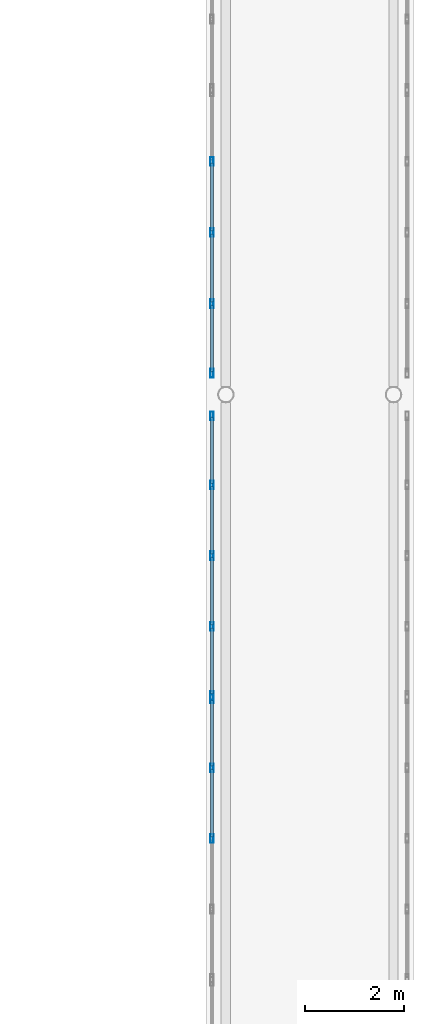
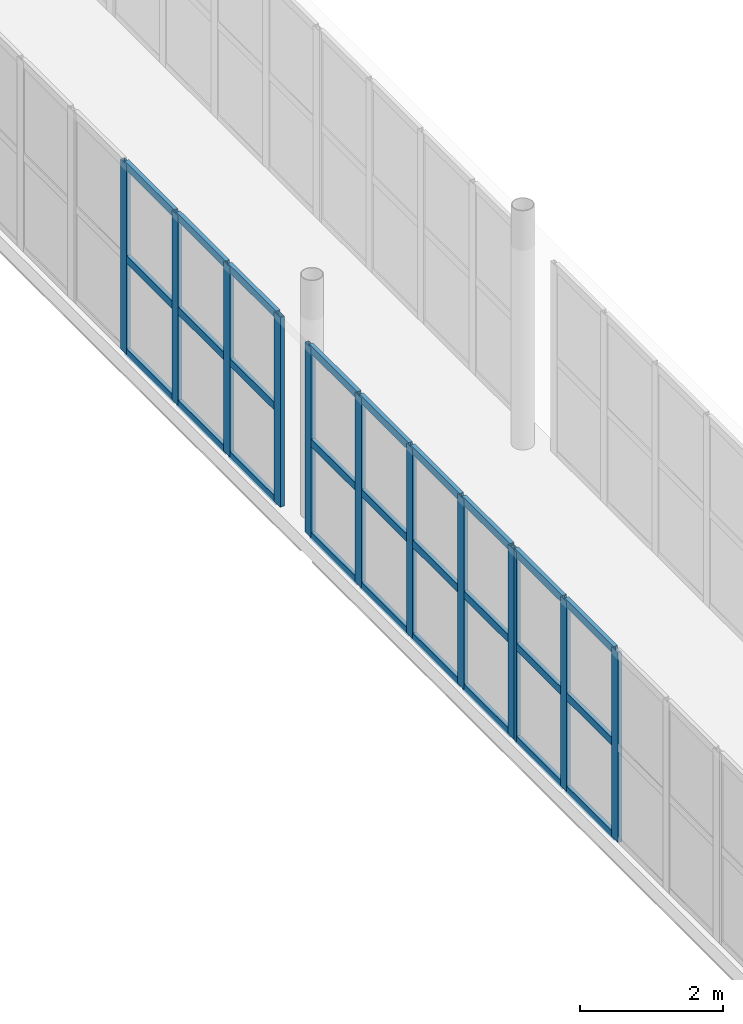
# One storey, part 46 of 146: 39 members, 3 elements without a shape of their own.
"""IFC4 building model written with IfcOpenShell, lengths in metres."""

from ifc_helpers import new_model, si_unit, direction, frame, origin, origin_2d, place, context, subcontext, project, spatial, hollow_rectangle, extrude, material, layer, layer_set, material_profile, profile_set, type_object, element, aggregate, save


model = new_model("IFC4")

# Units and contexts
model_context = context("Model", 3, precision=1e-05, world=origin(), true_north=direction((0.0, 1.0)))
body_context = subcontext(model_context, "Body", "Model", "MODEL_VIEW")
ifc_project = project(units=[si_unit("LENGTHUNIT", "METRE"), si_unit("AREAUNIT", "SQUARE_METRE"), si_unit("VOLUMEUNIT", "CUBIC_METRE"), si_unit("PLANEANGLEUNIT", "RADIAN"), si_unit("MASSUNIT", "GRAM", prefix="KILO")], contexts=[model_context])

# Site, building, storey
site_placement = place(None, origin())
site = spatial("IfcSite", under=ifc_project, at=site_placement, CompositionType="ELEMENT")
building_placement = place(site_placement, origin())
building = spatial("IfcBuilding", under=site, at=building_placement, Name="Valcora Specialist Clinic", CompositionType="ELEMENT")
storey_placement = place(building_placement, frame((0.0, 0.0, 9.52001953125)))
storey = spatial("IfcBuildingStorey", under=building, at=storey_placement, Name="L02", CompositionType="ELEMENT", Elevation=9.52001953125)

# Curtain wall, members
ifc_material = material(Name="Anodized Bronze Aluminium 6063-T6", Category="aluminium")
ifc_layer = layer(ifc_material, 0.175048828125)
ifc_layer_set = layer_set([ifc_layer], Name="Anodized Bronze Aluminium 6063-T6")
curtain_wall_type = type_object("IfcCurtainWallType", Name="TY-CW-BRG14", PredefinedType="NOTDEFINED", material=ifc_layer_set)
curtain_wall_1_placement = place(storey_placement, origin())
curtain_wall_1 = element("IfcCurtainWall", 1, at=curtain_wall_1_placement, inside=storey, type_object=curtain_wall_type, Name="Curtain wall CW-L02-253", PredefinedType="NOTDEFINED")
ifc_material_profile_1 = material_profile(ifc_material, hollow_rectangle(XDim=0.06494140625, YDim=0.175048828125, WallThickness=0.00390625, at=origin_2d()), Name="AL-MUL-65X175")
ifc_profile_set_1 = profile_set([ifc_material_profile_1], Name="Anodized Bronze Aluminium 6063-T6")
member_type_1 = type_object("IfcMemberType", Name="TY-CWM-65X175", PredefinedType="MULLION", material=ifc_profile_set_1)
member_1_placement = place(storey_placement, frame((61.320068359375, 47.0, 0.0), z_axis=(0.0, 0.0, 1.0), x_axis=(-1.0, 0.0, 0.0)))
member_1 = element("IfcMember", 2, at=member_1_placement, type_object=member_type_1, Name="CW-BRG-14 mullion 3", PredefinedType="MULLION", context=body_context, shape_type="SweptSolid", body=[
    extrude(hollow_rectangle(XDim=0.06494140625, YDim=0.175048828125, WallThickness=0.00390625, at=origin_2d()), origin(), (0.0, 0.0, 1.0), 3.239990234375),
])
member_2_placement = place(storey_placement, frame((61.320068359375, 48.433349609375, 0.0), z_axis=(0.0, 0.0, 1.0), x_axis=(-1.0, 0.0, 0.0)))
member_2 = element("IfcMember", 3, at=member_2_placement, type_object=member_type_1, Name="CW-BRG-14 mullion 4", PredefinedType="MULLION", context=body_context, shape_type="SweptSolid", body=[
    extrude(hollow_rectangle(XDim=0.06494140625, YDim=0.175048828125, WallThickness=0.00390625, at=origin_2d()), origin(), (0.0, 0.0, 1.0), 3.239990234375),
])
member_3_placement = place(storey_placement, frame((61.320068359375, 49.834228515625, 0.0), z_axis=(0.0, 0.0, 1.0), x_axis=(-1.0, 0.0, 0.0)))
member_3 = element("IfcMember", 4, at=member_3_placement, type_object=member_type_1, Name="CW-BRG-14 mullion 5", PredefinedType="MULLION", context=body_context, shape_type="SweptSolid", body=[
    extrude(hollow_rectangle(XDim=0.06494140625, YDim=0.175048828125, WallThickness=0.00390625, at=origin_2d()), origin(), (0.0, 0.0, 1.0), 3.239990234375),
])

curtain_wall_2_placement = place(storey_placement, origin())
curtain_wall_2 = element("IfcCurtainWall", 5, at=curtain_wall_2_placement, inside=storey, type_object=curtain_wall_type, Name="Curtain wall CW-L02-254", PredefinedType="NOTDEFINED")
member_4_placement = place(storey_placement, frame((61.320068359375, 49.899169921875, 0.0), z_axis=(0.0, 0.0, 1.0), x_axis=(-1.0, 0.0, 0.0)))
member_4 = element("IfcMember", 6, at=member_4_placement, type_object=member_type_1, Name="CW-BRG-14 mullion 1", PredefinedType="MULLION", context=body_context, shape_type="SweptSolid", body=[
    extrude(hollow_rectangle(XDim=0.06494140625, YDim=0.175048828125, WallThickness=0.00390625, at=origin_2d()), origin(), (0.0, 0.0, 1.0), 3.239990234375),
])
member_5_placement = place(storey_placement, frame((61.320068359375, 51.300048828125, 0.0), z_axis=(0.0, 0.0, 1.0), x_axis=(-1.0, 0.0, 0.0)))
member_5 = element("IfcMember", 7, at=member_5_placement, type_object=member_type_1, Name="CW-BRG-14 mullion 2", PredefinedType="MULLION", context=body_context, shape_type="SweptSolid", body=[
    extrude(hollow_rectangle(XDim=0.06494140625, YDim=0.175048828125, WallThickness=0.00390625, at=origin_2d()), origin(), (0.0, 0.0, 1.0), 3.239990234375),
])
member_6_placement = place(storey_placement, frame((61.320068359375, 52.7333984375, 0.0), z_axis=(0.0, 0.0, 1.0), x_axis=(-1.0, 0.0, 0.0)))
member_6 = element("IfcMember", 8, at=member_6_placement, type_object=member_type_1, Name="CW-BRG-14 mullion 3", PredefinedType="MULLION", context=body_context, shape_type="SweptSolid", body=[
    extrude(hollow_rectangle(XDim=0.06494140625, YDim=0.175048828125, WallThickness=0.00390625, at=origin_2d()), origin(), (0.0, 0.0, 1.0), 3.239990234375),
])
member_7_placement = place(storey_placement, frame((61.320068359375, 54.166748046875, 0.0), z_axis=(0.0, 0.0, 1.0), x_axis=(-1.0, 0.0, 0.0)))
member_7 = element("IfcMember", 9, at=member_7_placement, type_object=member_type_1, Name="CW-BRG-14 mullion 4", PredefinedType="MULLION", context=body_context, shape_type="SweptSolid", body=[
    extrude(hollow_rectangle(XDim=0.06494140625, YDim=0.175048828125, WallThickness=0.00390625, at=origin_2d()), origin(), (0.0, 0.0, 1.0), 3.239990234375),
])
member_8_placement = place(storey_placement, frame((61.320068359375, 55.5673828125, 0.0), z_axis=(0.0, 0.0, 1.0), x_axis=(-1.0, 0.0, 0.0)))
member_8 = element("IfcMember", 10, at=member_8_placement, type_object=member_type_1, Name="CW-BRG-14 mullion 5", PredefinedType="MULLION", context=body_context, shape_type="SweptSolid", body=[
    extrude(hollow_rectangle(XDim=0.06494140625, YDim=0.175048828125, WallThickness=0.00390625, at=origin_2d()), origin(), (0.0, 0.0, 1.0), 3.239990234375),
])

curtain_wall_3_placement = place(storey_placement, origin())
curtain_wall_3 = element("IfcCurtainWall", 11, at=curtain_wall_3_placement, inside=storey, type_object=curtain_wall_type, Name="Curtain wall CW-L02-255", PredefinedType="NOTDEFINED")
member_9_placement = place(storey_placement, frame((61.320068359375, 56.4326171875, 0.0), z_axis=(0.0, 0.0, 1.0), x_axis=(-1.0, 0.0, 0.0)))
member_9 = element("IfcMember", 12, at=member_9_placement, type_object=member_type_1, Name="CW-BRG-14 mullion 1", PredefinedType="MULLION", context=body_context, shape_type="SweptSolid", body=[
    extrude(hollow_rectangle(XDim=0.06494140625, YDim=0.175048828125, WallThickness=0.00390625, at=origin_2d()), origin(), (0.0, 0.0, 1.0), 3.239990234375),
])
member_10_placement = place(storey_placement, frame((61.320068359375, 57.841796875, 0.0), z_axis=(0.0, 0.0, 1.0), x_axis=(-1.0, 0.0, 0.0)))
member_10 = element("IfcMember", 13, at=member_10_placement, type_object=member_type_1, Name="CW-BRG-14 mullion 2", PredefinedType="MULLION", context=body_context, shape_type="SweptSolid", body=[
    extrude(hollow_rectangle(XDim=0.06494140625, YDim=0.175048828125, WallThickness=0.00390625, at=origin_2d()), origin(), (0.0, 0.0, 1.0), 3.239990234375),
])
member_11_placement = place(storey_placement, frame((61.320068359375, 59.283447265625, 0.0), z_axis=(0.0, 0.0, 1.0), x_axis=(-1.0, 0.0, 0.0)))
member_11 = element("IfcMember", 14, at=member_11_placement, type_object=member_type_1, Name="CW-BRG-14 mullion 3", PredefinedType="MULLION", context=body_context, shape_type="SweptSolid", body=[
    extrude(hollow_rectangle(XDim=0.06494140625, YDim=0.175048828125, WallThickness=0.00390625, at=origin_2d()), origin(), (0.0, 0.0, 1.0), 3.239990234375),
])
member_12_placement = place(storey_placement, frame((61.320068359375, 60.72509765625, 0.0), z_axis=(0.0, 0.0, 1.0), x_axis=(-1.0, 0.0, 0.0)))
member_12 = element("IfcMember", 15, at=member_12_placement, type_object=member_type_1, Name="CW-BRG-14 mullion 4", PredefinedType="MULLION", context=body_context, shape_type="SweptSolid", body=[
    extrude(hollow_rectangle(XDim=0.06494140625, YDim=0.175048828125, WallThickness=0.00390625, at=origin_2d()), origin(), (0.0, 0.0, 1.0), 3.239990234375),
])

# Member
ifc_material_profile_2 = material_profile(ifc_material, hollow_rectangle(XDim=0.06494140625, YDim=0.1298828125, WallThickness=0.00390625, at=origin_2d()), Name="AL-TRN-65X130")
ifc_profile_set_2 = profile_set([ifc_material_profile_2], Name="Anodized Bronze Aluminium 6063-T6")
member_type_2 = type_object("IfcMemberType", Name="TY-CWT-65X130", PredefinedType="USERDEFINED", material=ifc_profile_set_2)
member_13_placement = place(storey_placement, frame((61.320068359375, 47.032470703125, 0.032470703125), z_axis=(0.0, 1.0, 0.0), x_axis=(-1.0, 0.0, 0.0)))
member_13 = element("IfcMember", 16, at=member_13_placement, type_object=member_type_2, Name="CW-BRG-14 transom 3.1", ObjectType="TRANSOM", PredefinedType="USERDEFINED", context=body_context, shape_type="SweptSolid", body=[
    extrude(hollow_rectangle(XDim=0.06494140625, YDim=0.1298828125, WallThickness=0.00390625, at=origin_2d()), origin(), (0.0, 0.0, 1.0), 1.368408203125),
])

member_14_placement = place(storey_placement, frame((61.320068359375, 47.032470703125, 1.619873046875), z_axis=(0.0, 1.0, 0.0), x_axis=(-1.0, 0.0, 0.0)))
member_14 = element("IfcMember", 17, at=member_14_placement, type_object=member_type_2, Name="CW-BRG-14 transom 3.2", ObjectType="TRANSOM", PredefinedType="USERDEFINED", context=body_context, shape_type="SweptSolid", body=[
    extrude(hollow_rectangle(XDim=0.06494140625, YDim=0.1298828125, WallThickness=0.00390625, at=origin_2d()), origin(), (0.0, 0.0, 1.0), 1.368408203125),
])

member_15_placement = place(storey_placement, frame((61.320068359375, 47.032470703125, 3.20751953125), z_axis=(0.0, 1.0, 0.0), x_axis=(-1.0, 0.0, 0.0)))
member_15 = element("IfcMember", 18, at=member_15_placement, type_object=member_type_2, Name="CW-BRG-14 transom 3.3", ObjectType="TRANSOM", PredefinedType="USERDEFINED", context=body_context, shape_type="SweptSolid", body=[
    extrude(hollow_rectangle(XDim=0.06494140625, YDim=0.1298828125, WallThickness=0.00390625, at=origin_2d()), origin(), (0.0, 0.0, 1.0), 1.368408203125),
])

member_16_placement = place(storey_placement, frame((61.320068359375, 48.4658203125, 0.032470703125), z_axis=(0.0, 1.0, 0.0), x_axis=(-1.0, 0.0, 0.0)))
member_16 = element("IfcMember", 19, at=member_16_placement, type_object=member_type_2, Name="CW-BRG-14 transom 4.1", ObjectType="TRANSOM", PredefinedType="USERDEFINED", context=body_context, shape_type="SweptSolid", body=[
    extrude(hollow_rectangle(XDim=0.06494140625, YDim=0.1298828125, WallThickness=0.00390625, at=origin_2d()), origin(), (0.0, 0.0, 1.0), 1.3359375),
])

member_17_placement = place(storey_placement, frame((61.320068359375, 48.4658203125, 1.619873046875), z_axis=(0.0, 1.0, 0.0), x_axis=(-1.0, 0.0, 0.0)))
member_17 = element("IfcMember", 20, at=member_17_placement, type_object=member_type_2, Name="CW-BRG-14 transom 4.2", ObjectType="TRANSOM", PredefinedType="USERDEFINED", context=body_context, shape_type="SweptSolid", body=[
    extrude(hollow_rectangle(XDim=0.06494140625, YDim=0.1298828125, WallThickness=0.00390625, at=origin_2d()), origin(), (0.0, 0.0, 1.0), 1.3359375),
])

member_18_placement = place(storey_placement, frame((61.320068359375, 48.4658203125, 3.20751953125), z_axis=(0.0, 1.0, 0.0), x_axis=(-1.0, 0.0, 0.0)))
member_18 = element("IfcMember", 21, at=member_18_placement, type_object=member_type_2, Name="CW-BRG-14 transom 4.3", ObjectType="TRANSOM", PredefinedType="USERDEFINED", context=body_context, shape_type="SweptSolid", body=[
    extrude(hollow_rectangle(XDim=0.06494140625, YDim=0.1298828125, WallThickness=0.00390625, at=origin_2d()), origin(), (0.0, 0.0, 1.0), 1.3359375),
])

aggregate(curtain_wall_1, [member_1, member_2, member_3, member_13, member_14, member_15, member_16, member_17, member_18])

member_19_placement = place(storey_placement, frame((61.320068359375, 49.931640625, 0.032470703125), z_axis=(0.0, 1.0, 0.0), x_axis=(-1.0, 0.0, 0.0)))
member_19 = element("IfcMember", 22, at=member_19_placement, type_object=member_type_2, Name="CW-BRG-14 transom 1.1", ObjectType="TRANSOM", PredefinedType="USERDEFINED", context=body_context, shape_type="SweptSolid", body=[
    extrude(hollow_rectangle(XDim=0.06494140625, YDim=0.1298828125, WallThickness=0.00390625, at=origin_2d()), origin(), (0.0, 0.0, 1.0), 1.3359375),
])

member_20_placement = place(storey_placement, frame((61.320068359375, 49.931640625, 1.619873046875), z_axis=(0.0, 1.0, 0.0), x_axis=(-1.0, 0.0, 0.0)))
member_20 = element("IfcMember", 23, at=member_20_placement, type_object=member_type_2, Name="CW-BRG-14 transom 1.2", ObjectType="TRANSOM", PredefinedType="USERDEFINED", context=body_context, shape_type="SweptSolid", body=[
    extrude(hollow_rectangle(XDim=0.06494140625, YDim=0.1298828125, WallThickness=0.00390625, at=origin_2d()), origin(), (0.0, 0.0, 1.0), 1.3359375),
])

member_21_placement = place(storey_placement, frame((61.320068359375, 49.931640625, 3.20751953125), z_axis=(0.0, 1.0, 0.0), x_axis=(-1.0, 0.0, 0.0)))
member_21 = element("IfcMember", 24, at=member_21_placement, type_object=member_type_2, Name="CW-BRG-14 transom 1.3", ObjectType="TRANSOM", PredefinedType="USERDEFINED", context=body_context, shape_type="SweptSolid", body=[
    extrude(hollow_rectangle(XDim=0.06494140625, YDim=0.1298828125, WallThickness=0.00390625, at=origin_2d()), origin(), (0.0, 0.0, 1.0), 1.3359375),
])

member_22_placement = place(storey_placement, frame((61.320068359375, 51.33251953125, 0.032470703125), z_axis=(0.0, 1.0, 0.0), x_axis=(-1.0, 0.0, 0.0)))
member_22 = element("IfcMember", 25, at=member_22_placement, type_object=member_type_2, Name="CW-BRG-14 transom 2.1", ObjectType="TRANSOM", PredefinedType="USERDEFINED", context=body_context, shape_type="SweptSolid", body=[
    extrude(hollow_rectangle(XDim=0.06494140625, YDim=0.1298828125, WallThickness=0.00390625, at=origin_2d()), origin(), (0.0, 0.0, 1.0), 1.368408203125),
])

member_23_placement = place(storey_placement, frame((61.320068359375, 51.33251953125, 1.619873046875), z_axis=(0.0, 1.0, 0.0), x_axis=(-1.0, 0.0, 0.0)))
member_23 = element("IfcMember", 26, at=member_23_placement, type_object=member_type_2, Name="CW-BRG-14 transom 2.2", ObjectType="TRANSOM", PredefinedType="USERDEFINED", context=body_context, shape_type="SweptSolid", body=[
    extrude(hollow_rectangle(XDim=0.06494140625, YDim=0.1298828125, WallThickness=0.00390625, at=origin_2d()), origin(), (0.0, 0.0, 1.0), 1.368408203125),
])

member_24_placement = place(storey_placement, frame((61.320068359375, 51.33251953125, 3.20751953125), z_axis=(0.0, 1.0, 0.0), x_axis=(-1.0, 0.0, 0.0)))
member_24 = element("IfcMember", 27, at=member_24_placement, type_object=member_type_2, Name="CW-BRG-14 transom 2.3", ObjectType="TRANSOM", PredefinedType="USERDEFINED", context=body_context, shape_type="SweptSolid", body=[
    extrude(hollow_rectangle(XDim=0.06494140625, YDim=0.1298828125, WallThickness=0.00390625, at=origin_2d()), origin(), (0.0, 0.0, 1.0), 1.368408203125),
])

member_25_placement = place(storey_placement, frame((61.320068359375, 52.765869140625, 0.032470703125), z_axis=(0.0, 1.0, 0.0), x_axis=(-1.0, 0.0, 0.0)))
member_25 = element("IfcMember", 28, at=member_25_placement, type_object=member_type_2, Name="CW-BRG-14 transom 3.1", ObjectType="TRANSOM", PredefinedType="USERDEFINED", context=body_context, shape_type="SweptSolid", body=[
    extrude(hollow_rectangle(XDim=0.06494140625, YDim=0.1298828125, WallThickness=0.00390625, at=origin_2d()), origin(), (0.0, 0.0, 1.0), 1.368408203125),
])

member_26_placement = place(storey_placement, frame((61.320068359375, 52.765869140625, 1.619873046875), z_axis=(0.0, 1.0, 0.0), x_axis=(-1.0, 0.0, 0.0)))
member_26 = element("IfcMember", 29, at=member_26_placement, type_object=member_type_2, Name="CW-BRG-14 transom 3.2", ObjectType="TRANSOM", PredefinedType="USERDEFINED", context=body_context, shape_type="SweptSolid", body=[
    extrude(hollow_rectangle(XDim=0.06494140625, YDim=0.1298828125, WallThickness=0.00390625, at=origin_2d()), origin(), (0.0, 0.0, 1.0), 1.368408203125),
])

member_27_placement = place(storey_placement, frame((61.320068359375, 52.765869140625, 3.20751953125), z_axis=(0.0, 1.0, 0.0), x_axis=(-1.0, 0.0, 0.0)))
member_27 = element("IfcMember", 30, at=member_27_placement, type_object=member_type_2, Name="CW-BRG-14 transom 3.3", ObjectType="TRANSOM", PredefinedType="USERDEFINED", context=body_context, shape_type="SweptSolid", body=[
    extrude(hollow_rectangle(XDim=0.06494140625, YDim=0.1298828125, WallThickness=0.00390625, at=origin_2d()), origin(), (0.0, 0.0, 1.0), 1.368408203125),
])

member_28_placement = place(storey_placement, frame((61.320068359375, 54.19921875, 0.032470703125), z_axis=(0.0, 1.0, 0.0), x_axis=(-1.0, 0.0, 0.0)))
member_28 = element("IfcMember", 31, at=member_28_placement, type_object=member_type_2, Name="CW-BRG-14 transom 4.1", ObjectType="TRANSOM", PredefinedType="USERDEFINED", context=body_context, shape_type="SweptSolid", body=[
    extrude(hollow_rectangle(XDim=0.06494140625, YDim=0.1298828125, WallThickness=0.00390625, at=origin_2d()), origin(), (0.0, 0.0, 1.0), 1.335693359375),
])

member_29_placement = place(storey_placement, frame((61.320068359375, 54.19921875, 1.619873046875), z_axis=(0.0, 1.0, 0.0), x_axis=(-1.0, 0.0, 0.0)))
member_29 = element("IfcMember", 32, at=member_29_placement, type_object=member_type_2, Name="CW-BRG-14 transom 4.2", ObjectType="TRANSOM", PredefinedType="USERDEFINED", context=body_context, shape_type="SweptSolid", body=[
    extrude(hollow_rectangle(XDim=0.06494140625, YDim=0.1298828125, WallThickness=0.00390625, at=origin_2d()), origin(), (0.0, 0.0, 1.0), 1.335693359375),
])

member_30_placement = place(storey_placement, frame((61.320068359375, 54.19921875, 3.20751953125), z_axis=(0.0, 1.0, 0.0), x_axis=(-1.0, 0.0, 0.0)))
member_30 = element("IfcMember", 33, at=member_30_placement, type_object=member_type_2, Name="CW-BRG-14 transom 4.3", ObjectType="TRANSOM", PredefinedType="USERDEFINED", context=body_context, shape_type="SweptSolid", body=[
    extrude(hollow_rectangle(XDim=0.06494140625, YDim=0.1298828125, WallThickness=0.00390625, at=origin_2d()), origin(), (0.0, 0.0, 1.0), 1.335693359375),
])

aggregate(curtain_wall_2, [member_4, member_5, member_6, member_7, member_8, member_19, member_20, member_21, member_22, member_23, member_24, member_25, member_26, member_27, member_28, member_29, member_30])

member_31_placement = place(storey_placement, frame((61.320068359375, 56.465087890625, 0.032470703125), z_axis=(0.0, 1.0, 0.0), x_axis=(-1.0, 0.0, 0.0)))
member_31 = element("IfcMember", 34, at=member_31_placement, type_object=member_type_2, Name="CW-BRG-14 transom 1.1", ObjectType="TRANSOM", PredefinedType="USERDEFINED", context=body_context, shape_type="SweptSolid", body=[
    extrude(hollow_rectangle(XDim=0.06494140625, YDim=0.1298828125, WallThickness=0.00390625, at=origin_2d()), origin(), (0.0, 0.0, 1.0), 1.343994140625),
])

member_32_placement = place(storey_placement, frame((61.320068359375, 56.465087890625, 1.619873046875), z_axis=(0.0, 1.0, 0.0), x_axis=(-1.0, 0.0, 0.0)))
member_32 = element("IfcMember", 35, at=member_32_placement, type_object=member_type_2, Name="CW-BRG-14 transom 1.2", ObjectType="TRANSOM", PredefinedType="USERDEFINED", context=body_context, shape_type="SweptSolid", body=[
    extrude(hollow_rectangle(XDim=0.06494140625, YDim=0.1298828125, WallThickness=0.00390625, at=origin_2d()), origin(), (0.0, 0.0, 1.0), 1.343994140625),
])

member_33_placement = place(storey_placement, frame((61.320068359375, 56.465087890625, 3.20751953125), z_axis=(0.0, 1.0, 0.0), x_axis=(-1.0, 0.0, 0.0)))
member_33 = element("IfcMember", 36, at=member_33_placement, type_object=member_type_2, Name="CW-BRG-14 transom 1.3", ObjectType="TRANSOM", PredefinedType="USERDEFINED", context=body_context, shape_type="SweptSolid", body=[
    extrude(hollow_rectangle(XDim=0.06494140625, YDim=0.1298828125, WallThickness=0.00390625, at=origin_2d()), origin(), (0.0, 0.0, 1.0), 1.343994140625),
])

member_34_placement = place(storey_placement, frame((61.320068359375, 57.874267578125, 0.032470703125), z_axis=(0.0, 1.0, 0.0), x_axis=(-1.0, 0.0, 0.0)))
member_34 = element("IfcMember", 37, at=member_34_placement, type_object=member_type_2, Name="CW-BRG-14 transom 2.1", ObjectType="TRANSOM", PredefinedType="USERDEFINED", context=body_context, shape_type="SweptSolid", body=[
    extrude(hollow_rectangle(XDim=0.06494140625, YDim=0.1298828125, WallThickness=0.00390625, at=origin_2d()), origin(), (0.0, 0.0, 1.0), 1.37646484375),
])

member_35_placement = place(storey_placement, frame((61.320068359375, 57.874267578125, 1.619873046875), z_axis=(0.0, 1.0, 0.0), x_axis=(-1.0, 0.0, 0.0)))
member_35 = element("IfcMember", 38, at=member_35_placement, type_object=member_type_2, Name="CW-BRG-14 transom 2.2", ObjectType="TRANSOM", PredefinedType="USERDEFINED", context=body_context, shape_type="SweptSolid", body=[
    extrude(hollow_rectangle(XDim=0.06494140625, YDim=0.1298828125, WallThickness=0.00390625, at=origin_2d()), origin(), (0.0, 0.0, 1.0), 1.37646484375),
])

member_36_placement = place(storey_placement, frame((61.320068359375, 57.874267578125, 3.20751953125), z_axis=(0.0, 1.0, 0.0), x_axis=(-1.0, 0.0, 0.0)))
member_36 = element("IfcMember", 39, at=member_36_placement, type_object=member_type_2, Name="CW-BRG-14 transom 2.3", ObjectType="TRANSOM", PredefinedType="USERDEFINED", context=body_context, shape_type="SweptSolid", body=[
    extrude(hollow_rectangle(XDim=0.06494140625, YDim=0.1298828125, WallThickness=0.00390625, at=origin_2d()), origin(), (0.0, 0.0, 1.0), 1.37646484375),
])

member_37_placement = place(storey_placement, frame((61.320068359375, 59.31591796875, 0.032470703125), z_axis=(0.0, 1.0, 0.0), x_axis=(-1.0, 0.0, 0.0)))
member_37 = element("IfcMember", 40, at=member_37_placement, type_object=member_type_2, Name="CW-BRG-14 transom 3.1", ObjectType="TRANSOM", PredefinedType="USERDEFINED", context=body_context, shape_type="SweptSolid", body=[
    extrude(hollow_rectangle(XDim=0.06494140625, YDim=0.1298828125, WallThickness=0.00390625, at=origin_2d()), origin(), (0.0, 0.0, 1.0), 1.376708984375),
])

member_38_placement = place(storey_placement, frame((61.320068359375, 59.31591796875, 1.619873046875), z_axis=(0.0, 1.0, 0.0), x_axis=(-1.0, 0.0, 0.0)))
member_38 = element("IfcMember", 41, at=member_38_placement, type_object=member_type_2, Name="CW-BRG-14 transom 3.2", ObjectType="TRANSOM", PredefinedType="USERDEFINED", context=body_context, shape_type="SweptSolid", body=[
    extrude(hollow_rectangle(XDim=0.06494140625, YDim=0.1298828125, WallThickness=0.00390625, at=origin_2d()), origin(), (0.0, 0.0, 1.0), 1.376708984375),
])

member_39_placement = place(storey_placement, frame((61.320068359375, 59.31591796875, 3.20751953125), z_axis=(0.0, 1.0, 0.0), x_axis=(-1.0, 0.0, 0.0)))
member_39 = element("IfcMember", 42, at=member_39_placement, type_object=member_type_2, Name="CW-BRG-14 transom 3.3", ObjectType="TRANSOM", PredefinedType="USERDEFINED", context=body_context, shape_type="SweptSolid", body=[
    extrude(hollow_rectangle(XDim=0.06494140625, YDim=0.1298828125, WallThickness=0.00390625, at=origin_2d()), origin(), (0.0, 0.0, 1.0), 1.376708984375),
])

aggregate(curtain_wall_3, [member_9, member_10, member_11, member_12, member_31, member_32, member_33, member_34, member_35, member_36, member_37, member_38, member_39])

save(model, "model.ifc")
